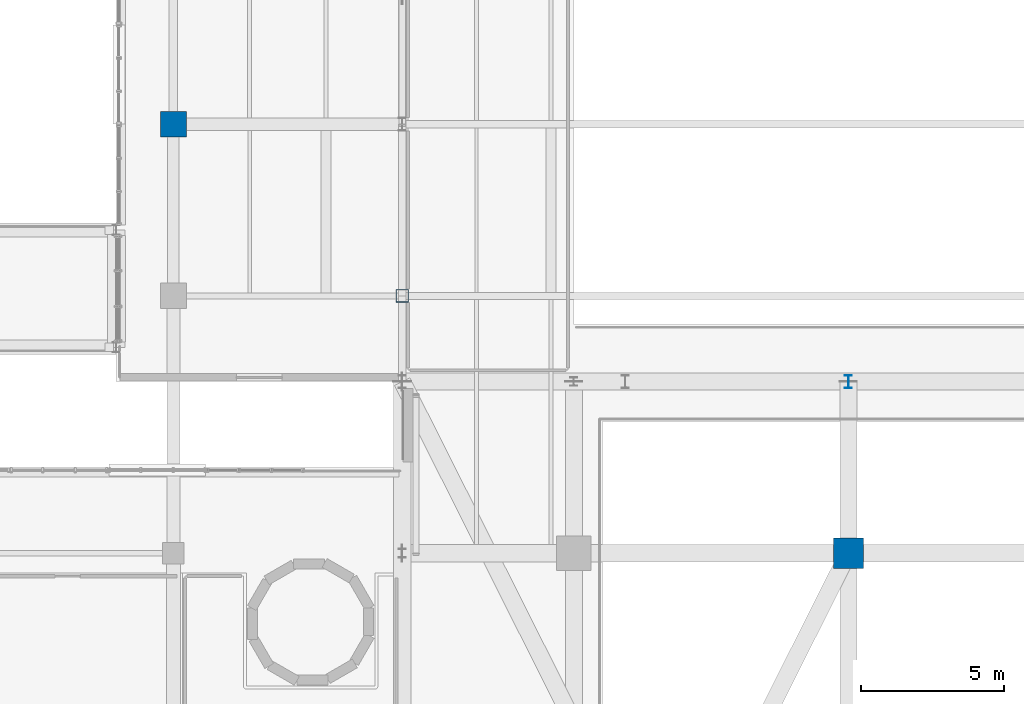
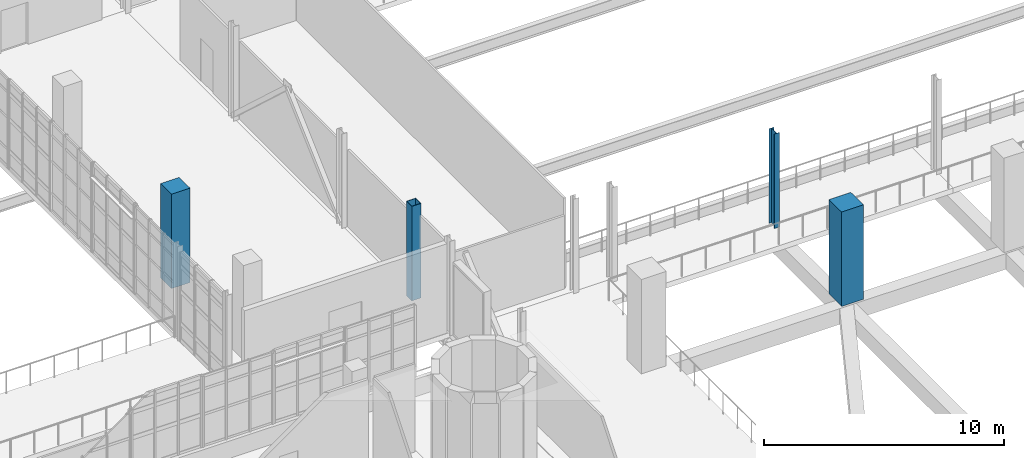
# One storey, part 5 of 100: 4 columns.
"""IFC4 building model written with IfcOpenShell, lengths in metres."""

from ifc_helpers import new_model, si_unit, derived_unit, direction, frame, origin, origin_2d, place, context, subcontext, project, spatial, rectangle, hollow_rectangle, i_section, extrude, material, material_profile, profile_set, type_object, element, save


model = new_model("IFC4")

# Units and contexts
model_context = context("Model", 3, precision=1e-05, world=origin(), true_north=direction((0.0, 1.0)))
body_context = subcontext(model_context, "Body", "Model", "MODEL_VIEW")
ifc_project = project(units=[si_unit("LENGTHUNIT", "METRE"), si_unit("AREAUNIT", "SQUARE_METRE"), si_unit("VOLUMEUNIT", "CUBIC_METRE"), si_unit("PLANEANGLEUNIT", "RADIAN"), si_unit("MASSUNIT", "GRAM", prefix="KILO"), derived_unit("THERMALTRANSMITTANCEUNIT", [(si_unit("POWERUNIT", "WATT"), 1), (si_unit("LENGTHUNIT", "METRE"), -2), (si_unit("THERMODYNAMICTEMPERATUREUNIT", "KELVIN"), -1)])], contexts=[model_context])

# Site, building, storey
site_placement = place(None, origin())
site = spatial("IfcSite", under=ifc_project, at=site_placement, CompositionType="ELEMENT")
building_placement = place(site_placement, origin())
building = spatial("IfcBuilding", under=site, at=building_placement, Name="Nallur Shell Playhouse", CompositionType="ELEMENT")
storey_placement = place(building_placement, frame((0.0, 0.0, 10.199951171875)))
storey = spatial("IfcBuildingStorey", under=building, at=storey_placement, Name="L03", CompositionType="ELEMENT", Elevation=10.199951171875)

# Columns
ifc_material_1 = material(Name="Concrete M45", Category="concrete")
ifc_material_profile_1 = material_profile(ifc_material_1, rectangle(XDim=1.050048828125, YDim=1.050048828125, at=origin_2d()), Name="RC 1050x1050")
ifc_profile_set_1 = profile_set([ifc_material_profile_1], Name="Concrete M45")
column_type_1 = type_object("IfcColumnType", Name="CL-RC-1050", PredefinedType="COLUMN", material=ifc_profile_set_1)
column_1_placement = place(storey_placement, frame((79.60009765625, 41.0, 0.0), z_axis=(0.0, 0.0, 1.0), x_axis=(1.0, 0.0, 0.0)))
element("IfcColumn", 1, at=column_1_placement, inside=storey, type_object=column_type_1, Name="Column MC2N (L03)", PredefinedType="COLUMN", context=body_context, shape_type="SweptSolid", body=[
    extrude(rectangle(XDim=1.050048828125, YDim=1.050048828125, at=origin_2d()), origin(), (0.0, 0.0, 1.0), 4.800048828125),
])
ifc_material_2 = material(Name="Concrete M40", Category="concrete")
ifc_material_profile_2 = material_profile(ifc_material_2, rectangle(XDim=0.89990234375, YDim=0.89990234375, at=origin_2d()), Name="RC 900x900")
ifc_profile_set_2 = profile_set([ifc_material_profile_2], Name="Concrete M40")
column_type_2 = type_object("IfcColumnType", Name="CL-RC-900", PredefinedType="COLUMN", material=ifc_profile_set_2)
column_2_placement = place(storey_placement, frame((56.0, 56.0, 0.0), z_axis=(0.0, 0.0, 1.0), x_axis=(1.0, 0.0, 0.0)))
element("IfcColumn", 2, at=column_2_placement, inside=storey, type_object=column_type_2, Name="Column 7-G (L03)", PredefinedType="COLUMN", context=body_context, shape_type="SweptSolid", body=[
    extrude(rectangle(XDim=0.89990234375, YDim=0.89990234375, at=origin_2d()), origin(), (0.0, 0.0, 1.0), 4.800048828125),
])
ifc_material_3 = material(Name="Steel E350", Category="steel")
ifc_material_profile_3 = material_profile(ifc_material_3, hollow_rectangle(XDim=0.449951171875, YDim=0.449951171875, WallThickness=0.02001953125, at=origin_2d()), Name="BOX 450x450x20")
ifc_profile_set_3 = profile_set([ifc_material_profile_3], Name="Steel E350")
column_type_3 = type_object("IfcColumnType", Name="CL-ST-BOX450", PredefinedType="COLUMN", material=ifc_profile_set_3)
column_3_placement = place(storey_placement, frame((64.0, 50.0, 0.0), z_axis=(0.0, 0.0, 1.0), x_axis=(1.0, 0.0, 0.0)))
element("IfcColumn", 3, at=column_3_placement, inside=storey, type_object=column_type_3, Name="Column 8-F (L03)", PredefinedType="COLUMN", context=body_context, shape_type="SweptSolid", body=[
    extrude(hollow_rectangle(XDim=0.449951171875, YDim=0.449951171875, WallThickness=0.02001953125, at=origin_2d()), origin(), (0.0, 0.0, 1.0), 4.800048828125),
])
ifc_material_profile_4 = material_profile(ifc_material_3, i_section(OverallWidth=0.25, OverallDepth=0.449951171875, WebThickness=0.01123046875, FlangeThickness=0.013671875, FilletRadius=0.014892578125, at=origin_2d()), Name="ISHB 450")
ifc_profile_set_4 = profile_set([ifc_material_profile_4], Name="Steel E350")
column_type_4 = type_object("IfcColumnType", Name="CL-ST-ISHB450", PredefinedType="COLUMN", material=ifc_profile_set_4)
column_4_placement = place(storey_placement, frame((79.60009765625, 47.0, 0.0), z_axis=(0.0, 0.0, 1.0), x_axis=(1.0, 0.0, 0.0)))
element("IfcColumn", 4, at=column_4_placement, inside=storey, type_object=column_type_4, Name="Column PROSC-3 (L03)", PredefinedType="COLUMN", context=body_context, shape_type="SweptSolid", body=[
    extrude(i_section(OverallWidth=0.25, OverallDepth=0.449951171875, WebThickness=0.01123046875, FlangeThickness=0.013671875, FilletRadius=0.014892578125, at=origin_2d()), origin(), (0.0, 0.0, 1.0), 4.800048828125),
])

save(model, "model.ifc")
